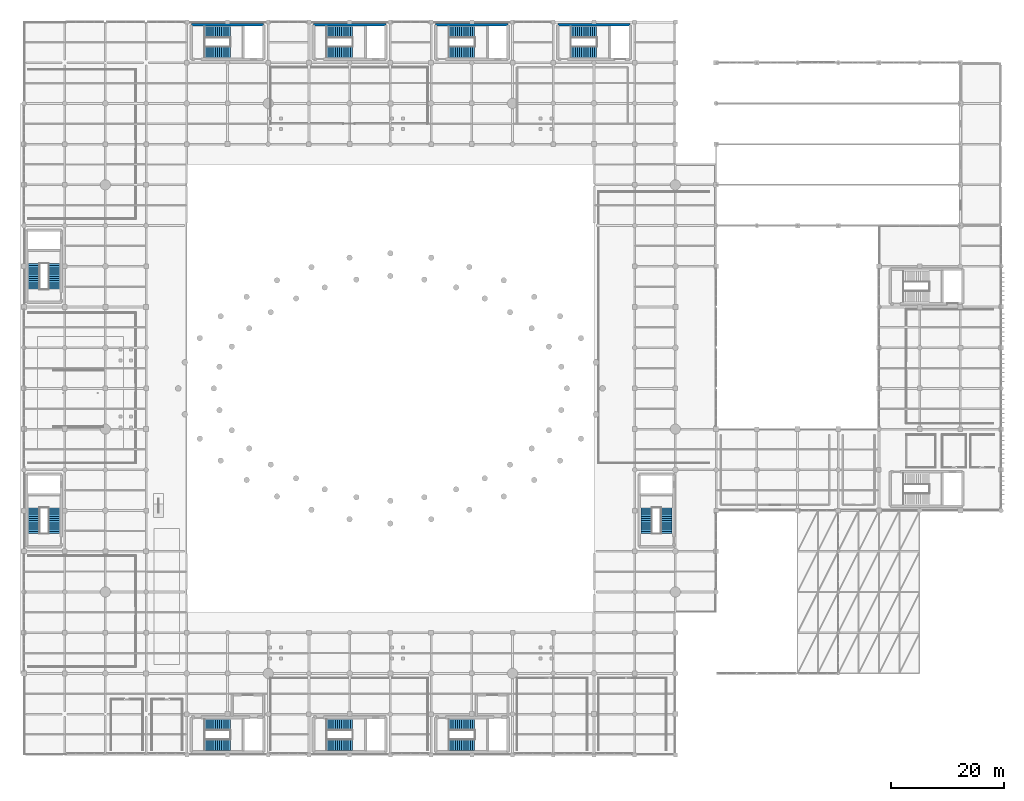
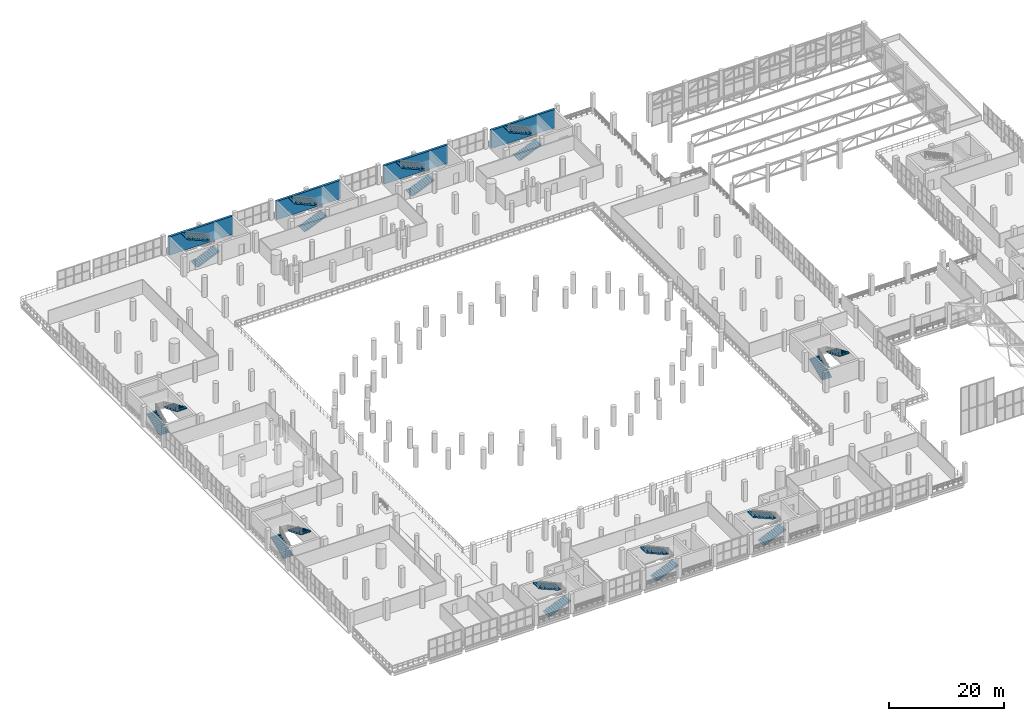
# One storey, part 139 of 153: 20 stair flights, 4 walls, 10 elements without a shape of their own.
"""IFC4 building model written with IfcOpenShell, lengths in metres."""

from ifc_helpers import new_model, si_unit, direction, frame, frame_2d, origin, place, context, subcontext, project, spatial, polyline, rectangle, outline, extrude, material, layer, layer_set, type_object, element, aggregate, save


model = new_model("IFC4")

# Units and contexts
model_context = context("Model", 3, precision=1e-05, world=origin(), true_north=direction((0.0, 1.0)))
body_context = subcontext(model_context, "Body", "Model", "MODEL_VIEW")
ifc_project = project(units=[si_unit("LENGTHUNIT", "METRE"), si_unit("AREAUNIT", "SQUARE_METRE"), si_unit("VOLUMEUNIT", "CUBIC_METRE"), si_unit("PLANEANGLEUNIT", "RADIAN"), si_unit("MASSUNIT", "GRAM", prefix="KILO")], contexts=[model_context])

# Site, building, storey
site_placement = place(None, origin())
site = spatial("IfcSite", under=ifc_project, at=site_placement, CompositionType="ELEMENT")
building_placement = place(site_placement, origin())
building = spatial("IfcBuilding", under=site, at=building_placement, Name="Qandorah Velis Arena", CompositionType="ELEMENT")
storey_placement = place(building_placement, frame((0.0, 0.0, 5.39990234375)))
storey = spatial("IfcBuildingStorey", under=building, at=storey_placement, Name="L01", CompositionType="ELEMENT", Elevation=5.39990234375)

# Walls
ifc_material = material(Name="Concrete C40/50", Category="concrete")
ifc_layer = layer(ifc_material, 0.449951171875)
ifc_layer_set = layer_set([ifc_layer], Name="Concrete C40/50")
wall_type = type_object("IfcWallType", Name="STR-WAL-CORE450", PredefinedType="SHEAR", material=ifc_layer_set)
wall_placement = place(storey_placement, frame((29.60009765625, 129.10009765625, 0.0), z_axis=(0.0, 0.0, 1.0), x_axis=(1.0, 0.0, 0.0)))
element("IfcWall", 1, at=wall_placement, inside=storey, type_object=wall_type, Name="Core CORE-03 shear wall N (L01)", PredefinedType="SHEAR", context=body_context, shape_type="SweptSolid", body=[
    extrude(rectangle(XDim=12.7998046875, YDim=0.449951171875, at=frame_2d((6.39990234375, 0.0))), origin(), (0.0, 0.0, 1.0), 3.920166015625),
])
for number, where, z_axis, x_axis, name in (
    (2, (72.800048828125, 129.10009765625, 0.0), (0.0, 0.0, 1.0), (1.0, 0.0, 0.0), "Core CORE-04 shear wall N (L01)"),
    (3, (51.199951171875, 129.10009765625, 0.0), (0.0, 0.0, 1.0), (1.0, 0.0, 0.0), "Core CORE-10 shear wall N (L01)"),
    (4, (94.39990234375, 129.10009765625, 0.0), (0.0, 0.0, 1.0), (1.0, 0.0, 0.0), "Core CORE-12 shear wall N (L01)"),
):
    element("IfcWall", number, at=place(storey_placement, frame(where, z_axis=z_axis, x_axis=x_axis)), inside=storey, type_object=wall_type, Name=name, PredefinedType="SHEAR", context=body_context, shape_type="SweptSolid", body=[
        extrude(rectangle(XDim=12.800048828125, YDim=0.449951171875, at=frame_2d((6.39990234375, 0.0))), origin(), (0.0, 0.0, 1.0), 3.920166015625),
    ])

# Stair, stair flights
stair_type = type_object("IfcStairType", Name="ARC-ST-CORE42", PredefinedType="HALF_TURN_STAIR", material=ifc_material)
stair_1_placement = place(storey_placement, origin())
stair_1 = element("IfcStair", 5, at=stair_1_placement, inside=storey, type_object=stair_type, Name="Protected exit stair ST1 (L01)", PredefinedType="HALF_TURN_STAIR")
stair_flight_type = type_object("IfcStairFlightType", Name="ARC-STF-1650", PredefinedType="STRAIGHT", material=ifc_material)
stair_flight_1_placement = place(storey_placement, frame((31.949951171875, 1.800048828125, 0.0), z_axis=(0.0, 0.0, 1.0), x_axis=(1.0, 0.0, 0.0)))
stair_flight_1 = element("IfcStairFlight", 6, at=stair_flight_1_placement, type_object=stair_flight_type, Name="ST1 flight 1", NumberOfRisers=13, NumberOfTreads=12, PredefinedType="STRAIGHT", RiserHeight=0.16154, TreadLength=0.378, context=body_context, shape_type="SweptSolid", body=[
    extrude(outline(polyline([(0.0, 0.0), (0.0, 0.16162109375), (0.3779296875, 0.16162109375), (0.3779296875, 0.322998046875), (0.756103515625, 0.322998046875), (0.756103515625, 0.484619140625), (1.134033203125, 0.484619140625), (1.134033203125, 0.646240234375), (1.511962890625, 0.646240234375), (1.511962890625, 0.8076171875), (1.889892578125, 0.8076171875), (1.889892578125, 0.96923828125), (2.26806640625, 0.96923828125), (2.26806640625, 1.130859375), (2.64599609375, 1.130859375), (2.64599609375, 1.292236328125), (3.02392578125, 1.292236328125), (3.02392578125, 1.453857421875), (3.402099609375, 1.453857421875), (3.402099609375, 1.615478515625), (3.780029296875, 1.615478515625), (3.780029296875, 1.77685546875), (4.157958984375, 1.77685546875), (4.157958984375, 1.9384765625), (4.535888671875, 1.9384765625), (4.535888671875, 2.10009765625), (4.535888671875, 1.69921875), (0.559814453125, 0.0), (0.0, 0.0)])), frame((0.0, 0.989990234375, 0.0), z_axis=(0.0, -1.0, 0.0), x_axis=(1.0, 0.0, 0.0)), (0.0, 0.0, 1.0), 1.97998046875),
])
stair_flight_2_placement = place(storey_placement, frame((36.486083984375, 5.300048828125, 2.10009765625), z_axis=(0.0, 0.0, 1.0), x_axis=(-1.0, 0.0, 0.0)))
stair_flight_2 = element("IfcStairFlight", 7, at=stair_flight_2_placement, type_object=stair_flight_type, Name="ST1 flight 2", NumberOfRisers=13, NumberOfTreads=12, PredefinedType="STRAIGHT", RiserHeight=0.16154, TreadLength=0.378, context=body_context, shape_type="SweptSolid", body=[
    extrude(outline(polyline([(0.0, 0.0), (0.0, 0.16162109375), (0.3779296875, 0.16162109375), (0.3779296875, 0.322998046875), (0.756103515625, 0.322998046875), (0.756103515625, 0.484619140625), (1.134033203125, 0.484619140625), (1.134033203125, 0.646240234375), (1.511962890625, 0.646240234375), (1.511962890625, 0.8076171875), (1.889892578125, 0.8076171875), (1.889892578125, 0.96923828125), (2.26806640625, 0.96923828125), (2.26806640625, 1.130859375), (2.64599609375, 1.130859375), (2.64599609375, 1.292236328125), (3.02392578125, 1.292236328125), (3.02392578125, 1.453857421875), (3.402099609375, 1.453857421875), (3.402099609375, 1.615478515625), (3.780029296875, 1.615478515625), (3.780029296875, 1.77685546875), (4.157958984375, 1.77685546875), (4.157958984375, 1.9384765625), (4.535888671875, 1.9384765625), (4.535888671875, 2.10009765625), (4.535888671875, 1.69921875), (0.559814453125, 0.0), (0.0, 0.0)])), frame((0.0, 0.989990234375, 0.0), z_axis=(0.0, -1.0, 0.0), x_axis=(1.0, 0.0, 0.0)), (0.0, 0.0, 1.0), 1.97998046875),
])
aggregate(stair_1, [stair_flight_1, stair_flight_2])

stair_2_placement = place(storey_placement, origin())
stair_2 = element("IfcStair", 8, at=stair_2_placement, inside=storey, type_object=stair_type, Name="Protected exit stair ST2 (L01)", PredefinedType="HALF_TURN_STAIR")
stair_flight_3_placement = place(storey_placement, frame((75.14990234375, 1.800048828125, 0.0), z_axis=(0.0, 0.0, 1.0), x_axis=(1.0, 0.0, 0.0)))
stair_flight_3 = element("IfcStairFlight", 9, at=stair_flight_3_placement, type_object=stair_flight_type, Name="ST2 flight 1", NumberOfRisers=13, NumberOfTreads=12, PredefinedType="STRAIGHT", RiserHeight=0.16154, TreadLength=0.378, context=body_context, shape_type="SweptSolid", body=[
    extrude(outline(polyline([(0.0, 0.0), (0.0, 0.16162109375), (0.3779296875, 0.16162109375), (0.3779296875, 0.322998046875), (0.756103515625, 0.322998046875), (0.756103515625, 0.484619140625), (1.134033203125, 0.484619140625), (1.134033203125, 0.646240234375), (1.511962890625, 0.646240234375), (1.511962890625, 0.8076171875), (1.889892578125, 0.8076171875), (1.889892578125, 0.96923828125), (2.26806640625, 0.96923828125), (2.26806640625, 1.130859375), (2.64599609375, 1.130859375), (2.64599609375, 1.292236328125), (3.02392578125, 1.292236328125), (3.02392578125, 1.453857421875), (3.402099609375, 1.453857421875), (3.402099609375, 1.615478515625), (3.780029296875, 1.615478515625), (3.780029296875, 1.77685546875), (4.157958984375, 1.77685546875), (4.157958984375, 1.9384765625), (4.535888671875, 1.9384765625), (4.535888671875, 2.10009765625), (4.535888671875, 1.69921875), (0.559814453125, 0.0), (0.0, 0.0)])), frame((0.0, 0.989990234375, 0.0), z_axis=(0.0, -1.0, 0.0), x_axis=(1.0, 0.0, 0.0)), (0.0, 0.0, 1.0), 1.97998046875),
])
stair_flight_4_placement = place(storey_placement, frame((79.68603515625, 5.300048828125, 2.10009765625), z_axis=(0.0, 0.0, 1.0), x_axis=(-1.0, 0.0, 0.0)))
stair_flight_4 = element("IfcStairFlight", 10, at=stair_flight_4_placement, type_object=stair_flight_type, Name="ST2 flight 2", NumberOfRisers=13, NumberOfTreads=12, PredefinedType="STRAIGHT", RiserHeight=0.16154, TreadLength=0.378, context=body_context, shape_type="SweptSolid", body=[
    extrude(outline(polyline([(0.0, 0.0), (0.0, 0.16162109375), (0.3779296875, 0.16162109375), (0.3779296875, 0.322998046875), (0.756103515625, 0.322998046875), (0.756103515625, 0.484619140625), (1.134033203125, 0.484619140625), (1.134033203125, 0.646240234375), (1.511962890625, 0.646240234375), (1.511962890625, 0.8076171875), (1.889892578125, 0.8076171875), (1.889892578125, 0.96923828125), (2.26806640625, 0.96923828125), (2.26806640625, 1.130859375), (2.64599609375, 1.130859375), (2.64599609375, 1.292236328125), (3.02392578125, 1.292236328125), (3.02392578125, 1.453857421875), (3.402099609375, 1.453857421875), (3.402099609375, 1.615478515625), (3.780029296875, 1.615478515625), (3.780029296875, 1.77685546875), (4.157958984375, 1.77685546875), (4.157958984375, 1.9384765625), (4.535888671875, 1.9384765625), (4.535888671875, 2.10009765625), (4.535888671875, 1.69921875), (0.559814453125, 0.0), (0.0, 0.0)])), frame((0.0, 0.989990234375, 0.0), z_axis=(0.0, -1.0, 0.0), x_axis=(1.0, 0.0, 0.0)), (0.0, 0.0, 1.0), 1.97998046875),
])
aggregate(stair_2, [stair_flight_3, stair_flight_4])

stair_3_placement = place(storey_placement, origin())
stair_3 = element("IfcStair", 11, at=stair_3_placement, inside=storey, type_object=stair_type, Name="Protected exit stair ST3 (L01)", PredefinedType="HALF_TURN_STAIR")
stair_flight_5_placement = place(storey_placement, frame((31.949951171875, 124.300048828125, 0.0), z_axis=(0.0, 0.0, 1.0), x_axis=(1.0, 0.0, 0.0)))
stair_flight_5 = element("IfcStairFlight", 12, at=stair_flight_5_placement, type_object=stair_flight_type, Name="ST3 flight 1", NumberOfRisers=13, NumberOfTreads=12, PredefinedType="STRAIGHT", RiserHeight=0.16154, TreadLength=0.378, context=body_context, shape_type="SweptSolid", body=[
    extrude(outline(polyline([(0.0, 0.0), (0.0, 0.16162109375), (0.3779296875, 0.16162109375), (0.3779296875, 0.322998046875), (0.756103515625, 0.322998046875), (0.756103515625, 0.484619140625), (1.134033203125, 0.484619140625), (1.134033203125, 0.646240234375), (1.511962890625, 0.646240234375), (1.511962890625, 0.8076171875), (1.889892578125, 0.8076171875), (1.889892578125, 0.96923828125), (2.26806640625, 0.96923828125), (2.26806640625, 1.130859375), (2.64599609375, 1.130859375), (2.64599609375, 1.292236328125), (3.02392578125, 1.292236328125), (3.02392578125, 1.453857421875), (3.402099609375, 1.453857421875), (3.402099609375, 1.615478515625), (3.780029296875, 1.615478515625), (3.780029296875, 1.77685546875), (4.157958984375, 1.77685546875), (4.157958984375, 1.9384765625), (4.535888671875, 1.9384765625), (4.535888671875, 2.10009765625), (4.535888671875, 1.69921875), (0.559814453125, 0.0), (0.0, 0.0)])), frame((0.0, 0.989990234375, 0.0), z_axis=(0.0, -1.0, 0.0), x_axis=(1.0, 0.0, 0.0)), (0.0, 0.0, 1.0), 1.97998046875),
])
stair_flight_6_placement = place(storey_placement, frame((36.486083984375, 127.800048828125, 2.10009765625), z_axis=(0.0, 0.0, 1.0), x_axis=(-1.0, 0.0, 0.0)))
stair_flight_6 = element("IfcStairFlight", 13, at=stair_flight_6_placement, type_object=stair_flight_type, Name="ST3 flight 2", NumberOfRisers=13, NumberOfTreads=12, PredefinedType="STRAIGHT", RiserHeight=0.16154, TreadLength=0.378, context=body_context, shape_type="SweptSolid", body=[
    extrude(outline(polyline([(0.0, 0.0), (0.0, 0.16162109375), (0.3779296875, 0.16162109375), (0.3779296875, 0.322998046875), (0.756103515625, 0.322998046875), (0.756103515625, 0.484619140625), (1.134033203125, 0.484619140625), (1.134033203125, 0.646240234375), (1.511962890625, 0.646240234375), (1.511962890625, 0.8076171875), (1.889892578125, 0.8076171875), (1.889892578125, 0.96923828125), (2.26806640625, 0.96923828125), (2.26806640625, 1.130859375), (2.64599609375, 1.130859375), (2.64599609375, 1.292236328125), (3.02392578125, 1.292236328125), (3.02392578125, 1.453857421875), (3.402099609375, 1.453857421875), (3.402099609375, 1.615478515625), (3.780029296875, 1.615478515625), (3.780029296875, 1.77685546875), (4.157958984375, 1.77685546875), (4.157958984375, 1.9384765625), (4.535888671875, 1.9384765625), (4.535888671875, 2.10009765625), (4.535888671875, 1.69921875), (0.559814453125, 0.0), (0.0, 0.0)])), frame((0.0, 0.989990234375, 0.0), z_axis=(0.0, -1.0, 0.0), x_axis=(1.0, 0.0, 0.0)), (0.0, 0.0, 1.0), 1.97998046875),
])
aggregate(stair_3, [stair_flight_5, stair_flight_6])

stair_4_placement = place(storey_placement, origin())
stair_4 = element("IfcStair", 14, at=stair_4_placement, inside=storey, type_object=stair_type, Name="Protected exit stair ST4 (L01)", PredefinedType="HALF_TURN_STAIR")
stair_flight_7_placement = place(storey_placement, frame((75.14990234375, 124.300048828125, 0.0), z_axis=(0.0, 0.0, 1.0), x_axis=(1.0, 0.0, 0.0)))
stair_flight_7 = element("IfcStairFlight", 15, at=stair_flight_7_placement, type_object=stair_flight_type, Name="ST4 flight 1", NumberOfRisers=13, NumberOfTreads=12, PredefinedType="STRAIGHT", RiserHeight=0.16154, TreadLength=0.378, context=body_context, shape_type="SweptSolid", body=[
    extrude(outline(polyline([(0.0, 0.0), (0.0, 0.16162109375), (0.3779296875, 0.16162109375), (0.3779296875, 0.322998046875), (0.756103515625, 0.322998046875), (0.756103515625, 0.484619140625), (1.134033203125, 0.484619140625), (1.134033203125, 0.646240234375), (1.511962890625, 0.646240234375), (1.511962890625, 0.8076171875), (1.889892578125, 0.8076171875), (1.889892578125, 0.96923828125), (2.26806640625, 0.96923828125), (2.26806640625, 1.130859375), (2.64599609375, 1.130859375), (2.64599609375, 1.292236328125), (3.02392578125, 1.292236328125), (3.02392578125, 1.453857421875), (3.402099609375, 1.453857421875), (3.402099609375, 1.615478515625), (3.780029296875, 1.615478515625), (3.780029296875, 1.77685546875), (4.157958984375, 1.77685546875), (4.157958984375, 1.9384765625), (4.535888671875, 1.9384765625), (4.535888671875, 2.10009765625), (4.535888671875, 1.69921875), (0.559814453125, 0.0), (0.0, 0.0)])), frame((0.0, 0.989990234375, 0.0), z_axis=(0.0, -1.0, 0.0), x_axis=(1.0, 0.0, 0.0)), (0.0, 0.0, 1.0), 1.97998046875),
])
stair_flight_8_placement = place(storey_placement, frame((79.68603515625, 127.800048828125, 2.10009765625), z_axis=(0.0, 0.0, 1.0), x_axis=(-1.0, 0.0, 0.0)))
stair_flight_8 = element("IfcStairFlight", 16, at=stair_flight_8_placement, type_object=stair_flight_type, Name="ST4 flight 2", NumberOfRisers=13, NumberOfTreads=12, PredefinedType="STRAIGHT", RiserHeight=0.16154, TreadLength=0.378, context=body_context, shape_type="SweptSolid", body=[
    extrude(outline(polyline([(0.0, 0.0), (0.0, 0.16162109375), (0.3779296875, 0.16162109375), (0.3779296875, 0.322998046875), (0.756103515625, 0.322998046875), (0.756103515625, 0.484619140625), (1.134033203125, 0.484619140625), (1.134033203125, 0.646240234375), (1.511962890625, 0.646240234375), (1.511962890625, 0.8076171875), (1.889892578125, 0.8076171875), (1.889892578125, 0.96923828125), (2.26806640625, 0.96923828125), (2.26806640625, 1.130859375), (2.64599609375, 1.130859375), (2.64599609375, 1.292236328125), (3.02392578125, 1.292236328125), (3.02392578125, 1.453857421875), (3.402099609375, 1.453857421875), (3.402099609375, 1.615478515625), (3.780029296875, 1.615478515625), (3.780029296875, 1.77685546875), (4.157958984375, 1.77685546875), (4.157958984375, 1.9384765625), (4.535888671875, 1.9384765625), (4.535888671875, 2.10009765625), (4.535888671875, 1.69921875), (0.559814453125, 0.0), (0.0, 0.0)])), frame((0.0, 0.989990234375, 0.0), z_axis=(0.0, -1.0, 0.0), x_axis=(1.0, 0.0, 0.0)), (0.0, 0.0, 1.0), 1.97998046875),
])
aggregate(stair_4, [stair_flight_7, stair_flight_8])

stair_5_placement = place(storey_placement, origin())
stair_5 = element("IfcStair", 17, at=stair_5_placement, inside=storey, type_object=stair_type, Name="Protected exit stair ST5 (L01)", PredefinedType="HALF_TURN_STAIR")
stair_flight_9_placement = place(storey_placement, frame((1.800048828125, 39.14990234375, 0.0), z_axis=(0.0, 0.0, 1.0), x_axis=(0.0, 1.0, 0.0)))
stair_flight_9 = element("IfcStairFlight", 18, at=stair_flight_9_placement, type_object=stair_flight_type, Name="ST5 flight 1", NumberOfRisers=13, NumberOfTreads=12, PredefinedType="STRAIGHT", RiserHeight=0.16154, TreadLength=0.378, context=body_context, shape_type="SweptSolid", body=[
    extrude(outline(polyline([(0.0, 0.0), (0.0, 0.16162109375), (0.3779296875, 0.16162109375), (0.3779296875, 0.322998046875), (0.756103515625, 0.322998046875), (0.756103515625, 0.484619140625), (1.134033203125, 0.484619140625), (1.134033203125, 0.646240234375), (1.511962890625, 0.646240234375), (1.511962890625, 0.8076171875), (1.889892578125, 0.8076171875), (1.889892578125, 0.96923828125), (2.26806640625, 0.96923828125), (2.26806640625, 1.130859375), (2.64599609375, 1.130859375), (2.64599609375, 1.292236328125), (3.02392578125, 1.292236328125), (3.02392578125, 1.453857421875), (3.402099609375, 1.453857421875), (3.402099609375, 1.615478515625), (3.780029296875, 1.615478515625), (3.780029296875, 1.77685546875), (4.157958984375, 1.77685546875), (4.157958984375, 1.9384765625), (4.535888671875, 1.9384765625), (4.535888671875, 2.10009765625), (4.535888671875, 1.69921875), (0.559814453125, 0.0), (0.0, 0.0)])), frame((0.0, 0.989990234375, 0.0), z_axis=(0.0, -1.0, 0.0), x_axis=(1.0, 0.0, 0.0)), (0.0, 0.0, 1.0), 1.97998046875),
])
stair_flight_10_placement = place(storey_placement, frame((5.300048828125, 43.68603515625, 2.10009765625), z_axis=(0.0, 0.0, 1.0), x_axis=(0.0, -1.0, 0.0)))
stair_flight_10 = element("IfcStairFlight", 19, at=stair_flight_10_placement, type_object=stair_flight_type, Name="ST5 flight 2", NumberOfRisers=13, NumberOfTreads=12, PredefinedType="STRAIGHT", RiserHeight=0.16154, TreadLength=0.378, context=body_context, shape_type="SweptSolid", body=[
    extrude(outline(polyline([(0.0, 0.0), (0.0, 0.16162109375), (0.3779296875, 0.16162109375), (0.3779296875, 0.322998046875), (0.756103515625, 0.322998046875), (0.756103515625, 0.484619140625), (1.134033203125, 0.484619140625), (1.134033203125, 0.646240234375), (1.511962890625, 0.646240234375), (1.511962890625, 0.8076171875), (1.889892578125, 0.8076171875), (1.889892578125, 0.96923828125), (2.26806640625, 0.96923828125), (2.26806640625, 1.130859375), (2.64599609375, 1.130859375), (2.64599609375, 1.292236328125), (3.02392578125, 1.292236328125), (3.02392578125, 1.453857421875), (3.402099609375, 1.453857421875), (3.402099609375, 1.615478515625), (3.780029296875, 1.615478515625), (3.780029296875, 1.77685546875), (4.157958984375, 1.77685546875), (4.157958984375, 1.9384765625), (4.535888671875, 1.9384765625), (4.535888671875, 2.10009765625), (4.535888671875, 1.69921875), (0.559814453125, 0.0), (0.0, 0.0)])), frame((0.0, 0.989990234375, 0.0), z_axis=(0.0, -1.0, 0.0), x_axis=(1.0, 0.0, 0.0)), (0.0, 0.0, 1.0), 1.97998046875),
])
aggregate(stair_5, [stair_flight_9, stair_flight_10])

stair_6_placement = place(storey_placement, origin())
stair_6 = element("IfcStair", 20, at=stair_6_placement, inside=storey, type_object=stair_type, Name="Protected exit stair ST6 (L01)", PredefinedType="HALF_TURN_STAIR")
stair_flight_11_placement = place(storey_placement, frame((1.800048828125, 82.35009765625, 0.0), z_axis=(0.0, 0.0, 1.0), x_axis=(0.0, 1.0, 0.0)))
stair_flight_11 = element("IfcStairFlight", 21, at=stair_flight_11_placement, type_object=stair_flight_type, Name="ST6 flight 1", NumberOfRisers=13, NumberOfTreads=12, PredefinedType="STRAIGHT", RiserHeight=0.16154, TreadLength=0.378, context=body_context, shape_type="SweptSolid", body=[
    extrude(outline(polyline([(0.0, 0.0), (0.0, 0.16162109375), (0.3779296875, 0.16162109375), (0.3779296875, 0.322998046875), (0.756103515625, 0.322998046875), (0.756103515625, 0.484619140625), (1.134033203125, 0.484619140625), (1.134033203125, 0.646240234375), (1.511962890625, 0.646240234375), (1.511962890625, 0.8076171875), (1.889892578125, 0.8076171875), (1.889892578125, 0.96923828125), (2.26806640625, 0.96923828125), (2.26806640625, 1.130859375), (2.64599609375, 1.130859375), (2.64599609375, 1.292236328125), (3.02392578125, 1.292236328125), (3.02392578125, 1.453857421875), (3.402099609375, 1.453857421875), (3.402099609375, 1.615478515625), (3.780029296875, 1.615478515625), (3.780029296875, 1.77685546875), (4.157958984375, 1.77685546875), (4.157958984375, 1.9384765625), (4.535888671875, 1.9384765625), (4.535888671875, 2.10009765625), (4.535888671875, 1.69921875), (0.559814453125, 0.0), (0.0, 0.0)])), frame((0.0, 0.989990234375, 0.0), z_axis=(0.0, -1.0, 0.0), x_axis=(1.0, 0.0, 0.0)), (0.0, 0.0, 1.0), 1.97998046875),
])
stair_flight_12_placement = place(storey_placement, frame((5.300048828125, 86.885986328125, 2.10009765625), z_axis=(0.0, 0.0, 1.0), x_axis=(0.0, -1.0, 0.0)))
stair_flight_12 = element("IfcStairFlight", 22, at=stair_flight_12_placement, type_object=stair_flight_type, Name="ST6 flight 2", NumberOfRisers=13, NumberOfTreads=12, PredefinedType="STRAIGHT", RiserHeight=0.16154, TreadLength=0.378, context=body_context, shape_type="SweptSolid", body=[
    extrude(outline(polyline([(0.0, 0.0), (0.0, 0.16162109375), (0.3779296875, 0.16162109375), (0.3779296875, 0.322998046875), (0.756103515625, 0.322998046875), (0.756103515625, 0.484619140625), (1.134033203125, 0.484619140625), (1.134033203125, 0.646240234375), (1.511962890625, 0.646240234375), (1.511962890625, 0.8076171875), (1.889892578125, 0.8076171875), (1.889892578125, 0.96923828125), (2.26806640625, 0.96923828125), (2.26806640625, 1.130859375), (2.64599609375, 1.130859375), (2.64599609375, 1.292236328125), (3.02392578125, 1.292236328125), (3.02392578125, 1.453857421875), (3.402099609375, 1.453857421875), (3.402099609375, 1.615478515625), (3.780029296875, 1.615478515625), (3.780029296875, 1.77685546875), (4.157958984375, 1.77685546875), (4.157958984375, 1.9384765625), (4.535888671875, 1.9384765625), (4.535888671875, 2.10009765625), (4.535888671875, 1.69921875), (0.559814453125, 0.0), (0.0, 0.0)])), frame((0.0, 0.989990234375, 0.0), z_axis=(0.0, -1.0, 0.0), x_axis=(1.0, 0.0, 0.0)), (0.0, 0.0, 1.0), 1.97998046875),
])
aggregate(stair_6, [stair_flight_11, stair_flight_12])

stair_7_placement = place(storey_placement, origin())
stair_7 = element("IfcStair", 23, at=stair_7_placement, inside=storey, type_object=stair_type, Name="Protected exit stair ST9 (L01)", PredefinedType="HALF_TURN_STAIR")
stair_flight_13_placement = place(storey_placement, frame((53.550048828125, 1.800048828125, 0.0), z_axis=(0.0, 0.0, 1.0), x_axis=(1.0, 0.0, 0.0)))
stair_flight_13 = element("IfcStairFlight", 24, at=stair_flight_13_placement, type_object=stair_flight_type, Name="ST9 flight 1", NumberOfRisers=13, NumberOfTreads=12, PredefinedType="STRAIGHT", RiserHeight=0.16154, TreadLength=0.378, context=body_context, shape_type="SweptSolid", body=[
    extrude(outline(polyline([(0.0, 0.0), (0.0, 0.16162109375), (0.3779296875, 0.16162109375), (0.3779296875, 0.322998046875), (0.756103515625, 0.322998046875), (0.756103515625, 0.484619140625), (1.134033203125, 0.484619140625), (1.134033203125, 0.646240234375), (1.511962890625, 0.646240234375), (1.511962890625, 0.8076171875), (1.889892578125, 0.8076171875), (1.889892578125, 0.96923828125), (2.26806640625, 0.96923828125), (2.26806640625, 1.130859375), (2.64599609375, 1.130859375), (2.64599609375, 1.292236328125), (3.02392578125, 1.292236328125), (3.02392578125, 1.453857421875), (3.402099609375, 1.453857421875), (3.402099609375, 1.615478515625), (3.780029296875, 1.615478515625), (3.780029296875, 1.77685546875), (4.157958984375, 1.77685546875), (4.157958984375, 1.9384765625), (4.535888671875, 1.9384765625), (4.535888671875, 2.10009765625), (4.535888671875, 1.69921875), (0.559814453125, 0.0), (0.0, 0.0)])), frame((0.0, 0.989990234375, 0.0), z_axis=(0.0, -1.0, 0.0), x_axis=(1.0, 0.0, 0.0)), (0.0, 0.0, 1.0), 1.97998046875),
])
stair_flight_14_placement = place(storey_placement, frame((58.0859375, 5.300048828125, 2.10009765625), z_axis=(0.0, 0.0, 1.0), x_axis=(-1.0, 0.0, 0.0)))
stair_flight_14 = element("IfcStairFlight", 25, at=stair_flight_14_placement, type_object=stair_flight_type, Name="ST9 flight 2", NumberOfRisers=13, NumberOfTreads=12, PredefinedType="STRAIGHT", RiserHeight=0.16154, TreadLength=0.378, context=body_context, shape_type="SweptSolid", body=[
    extrude(outline(polyline([(0.0, 0.0), (0.0, 0.16162109375), (0.3779296875, 0.16162109375), (0.3779296875, 0.322998046875), (0.756103515625, 0.322998046875), (0.756103515625, 0.484619140625), (1.134033203125, 0.484619140625), (1.134033203125, 0.646240234375), (1.511962890625, 0.646240234375), (1.511962890625, 0.8076171875), (1.889892578125, 0.8076171875), (1.889892578125, 0.96923828125), (2.26806640625, 0.96923828125), (2.26806640625, 1.130859375), (2.64599609375, 1.130859375), (2.64599609375, 1.292236328125), (3.02392578125, 1.292236328125), (3.02392578125, 1.453857421875), (3.402099609375, 1.453857421875), (3.402099609375, 1.615478515625), (3.780029296875, 1.615478515625), (3.780029296875, 1.77685546875), (4.157958984375, 1.77685546875), (4.157958984375, 1.9384765625), (4.535888671875, 1.9384765625), (4.535888671875, 2.10009765625), (4.535888671875, 1.69921875), (0.559814453125, 0.0), (0.0, 0.0)])), frame((0.0, 0.989990234375, 0.0), z_axis=(0.0, -1.0, 0.0), x_axis=(1.0, 0.0, 0.0)), (0.0, 0.0, 1.0), 1.97998046875),
])
aggregate(stair_7, [stair_flight_13, stair_flight_14])

stair_8_placement = place(storey_placement, origin())
stair_8 = element("IfcStair", 26, at=stair_8_placement, inside=storey, type_object=stair_type, Name="Protected exit stair ST10 (L01)", PredefinedType="HALF_TURN_STAIR")
stair_flight_15_placement = place(storey_placement, frame((53.550048828125, 124.300048828125, 0.0), z_axis=(0.0, 0.0, 1.0), x_axis=(1.0, 0.0, 0.0)))
stair_flight_15 = element("IfcStairFlight", 27, at=stair_flight_15_placement, type_object=stair_flight_type, Name="ST10 flight 1", NumberOfRisers=13, NumberOfTreads=12, PredefinedType="STRAIGHT", RiserHeight=0.16154, TreadLength=0.378, context=body_context, shape_type="SweptSolid", body=[
    extrude(outline(polyline([(0.0, 0.0), (0.0, 0.16162109375), (0.3779296875, 0.16162109375), (0.3779296875, 0.322998046875), (0.756103515625, 0.322998046875), (0.756103515625, 0.484619140625), (1.134033203125, 0.484619140625), (1.134033203125, 0.646240234375), (1.511962890625, 0.646240234375), (1.511962890625, 0.8076171875), (1.889892578125, 0.8076171875), (1.889892578125, 0.96923828125), (2.26806640625, 0.96923828125), (2.26806640625, 1.130859375), (2.64599609375, 1.130859375), (2.64599609375, 1.292236328125), (3.02392578125, 1.292236328125), (3.02392578125, 1.453857421875), (3.402099609375, 1.453857421875), (3.402099609375, 1.615478515625), (3.780029296875, 1.615478515625), (3.780029296875, 1.77685546875), (4.157958984375, 1.77685546875), (4.157958984375, 1.9384765625), (4.535888671875, 1.9384765625), (4.535888671875, 2.10009765625), (4.535888671875, 1.69921875), (0.559814453125, 0.0), (0.0, 0.0)])), frame((0.0, 0.989990234375, 0.0), z_axis=(0.0, -1.0, 0.0), x_axis=(1.0, 0.0, 0.0)), (0.0, 0.0, 1.0), 1.97998046875),
])
stair_flight_16_placement = place(storey_placement, frame((58.0859375, 127.800048828125, 2.10009765625), z_axis=(0.0, 0.0, 1.0), x_axis=(-1.0, 0.0, 0.0)))
stair_flight_16 = element("IfcStairFlight", 28, at=stair_flight_16_placement, type_object=stair_flight_type, Name="ST10 flight 2", NumberOfRisers=13, NumberOfTreads=12, PredefinedType="STRAIGHT", RiserHeight=0.16154, TreadLength=0.378, context=body_context, shape_type="SweptSolid", body=[
    extrude(outline(polyline([(0.0, 0.0), (0.0, 0.16162109375), (0.3779296875, 0.16162109375), (0.3779296875, 0.322998046875), (0.756103515625, 0.322998046875), (0.756103515625, 0.484619140625), (1.134033203125, 0.484619140625), (1.134033203125, 0.646240234375), (1.511962890625, 0.646240234375), (1.511962890625, 0.8076171875), (1.889892578125, 0.8076171875), (1.889892578125, 0.96923828125), (2.26806640625, 0.96923828125), (2.26806640625, 1.130859375), (2.64599609375, 1.130859375), (2.64599609375, 1.292236328125), (3.02392578125, 1.292236328125), (3.02392578125, 1.453857421875), (3.402099609375, 1.453857421875), (3.402099609375, 1.615478515625), (3.780029296875, 1.615478515625), (3.780029296875, 1.77685546875), (4.157958984375, 1.77685546875), (4.157958984375, 1.9384765625), (4.535888671875, 1.9384765625), (4.535888671875, 2.10009765625), (4.535888671875, 1.69921875), (0.559814453125, 0.0), (0.0, 0.0)])), frame((0.0, 0.989990234375, 0.0), z_axis=(0.0, -1.0, 0.0), x_axis=(1.0, 0.0, 0.0)), (0.0, 0.0, 1.0), 1.97998046875),
])
aggregate(stair_8, [stair_flight_15, stair_flight_16])

stair_9_placement = place(storey_placement, origin())
stair_9 = element("IfcStair", 29, at=stair_9_placement, inside=storey, type_object=stair_type, Name="Protected exit stair ST11 (L01)", PredefinedType="HALF_TURN_STAIR")
stair_flight_17_placement = place(storey_placement, frame((110.10009765625, 39.14990234375, 0.0), z_axis=(0.0, 0.0, 1.0), x_axis=(0.0, 1.0, 0.0)))
stair_flight_17 = element("IfcStairFlight", 30, at=stair_flight_17_placement, type_object=stair_flight_type, Name="ST11 flight 1", NumberOfRisers=13, NumberOfTreads=12, PredefinedType="STRAIGHT", RiserHeight=0.16154, TreadLength=0.378, context=body_context, shape_type="SweptSolid", body=[
    extrude(outline(polyline([(0.0, 0.0), (0.0, 0.16162109375), (0.3779296875, 0.16162109375), (0.3779296875, 0.322998046875), (0.756103515625, 0.322998046875), (0.756103515625, 0.484619140625), (1.134033203125, 0.484619140625), (1.134033203125, 0.646240234375), (1.511962890625, 0.646240234375), (1.511962890625, 0.8076171875), (1.889892578125, 0.8076171875), (1.889892578125, 0.96923828125), (2.26806640625, 0.96923828125), (2.26806640625, 1.130859375), (2.64599609375, 1.130859375), (2.64599609375, 1.292236328125), (3.02392578125, 1.292236328125), (3.02392578125, 1.453857421875), (3.402099609375, 1.453857421875), (3.402099609375, 1.615478515625), (3.780029296875, 1.615478515625), (3.780029296875, 1.77685546875), (4.157958984375, 1.77685546875), (4.157958984375, 1.9384765625), (4.535888671875, 1.9384765625), (4.535888671875, 2.10009765625), (4.535888671875, 1.69921875), (0.559814453125, 0.0), (0.0, 0.0)])), frame((0.0, 0.989990234375, 0.0), z_axis=(0.0, -1.0, 0.0), x_axis=(1.0, 0.0, 0.0)), (0.0, 0.0, 1.0), 1.97998046875),
])
stair_flight_18_placement = place(storey_placement, frame((113.60009765625, 43.68603515625, 2.10009765625), z_axis=(0.0, 0.0, 1.0), x_axis=(0.0, -1.0, 0.0)))
stair_flight_18 = element("IfcStairFlight", 31, at=stair_flight_18_placement, type_object=stair_flight_type, Name="ST11 flight 2", NumberOfRisers=13, NumberOfTreads=12, PredefinedType="STRAIGHT", RiserHeight=0.16154, TreadLength=0.378, context=body_context, shape_type="SweptSolid", body=[
    extrude(outline(polyline([(0.0, 0.0), (0.0, 0.16162109375), (0.3779296875, 0.16162109375), (0.3779296875, 0.322998046875), (0.756103515625, 0.322998046875), (0.756103515625, 0.484619140625), (1.134033203125, 0.484619140625), (1.134033203125, 0.646240234375), (1.511962890625, 0.646240234375), (1.511962890625, 0.8076171875), (1.889892578125, 0.8076171875), (1.889892578125, 0.96923828125), (2.26806640625, 0.96923828125), (2.26806640625, 1.130859375), (2.64599609375, 1.130859375), (2.64599609375, 1.292236328125), (3.02392578125, 1.292236328125), (3.02392578125, 1.453857421875), (3.402099609375, 1.453857421875), (3.402099609375, 1.615478515625), (3.780029296875, 1.615478515625), (3.780029296875, 1.77685546875), (4.157958984375, 1.77685546875), (4.157958984375, 1.9384765625), (4.535888671875, 1.9384765625), (4.535888671875, 2.10009765625), (4.535888671875, 1.69921875), (0.559814453125, 0.0), (0.0, 0.0)])), frame((0.0, 0.989990234375, 0.0), z_axis=(0.0, -1.0, 0.0), x_axis=(1.0, 0.0, 0.0)), (0.0, 0.0, 1.0), 1.97998046875),
])
aggregate(stair_9, [stair_flight_17, stair_flight_18])

stair_10_placement = place(storey_placement, origin())
stair_10 = element("IfcStair", 32, at=stair_10_placement, inside=storey, type_object=stair_type, Name="Protected exit stair ST12 (L01)", PredefinedType="HALF_TURN_STAIR")
stair_flight_19_placement = place(storey_placement, frame((96.75, 124.300048828125, 0.0), z_axis=(0.0, 0.0, 1.0), x_axis=(1.0, 0.0, 0.0)))
stair_flight_19 = element("IfcStairFlight", 33, at=stair_flight_19_placement, type_object=stair_flight_type, Name="ST12 flight 1", NumberOfRisers=13, NumberOfTreads=12, PredefinedType="STRAIGHT", RiserHeight=0.16154, TreadLength=0.378, context=body_context, shape_type="SweptSolid", body=[
    extrude(outline(polyline([(0.0, 0.0), (0.0, 0.16162109375), (0.3779296875, 0.16162109375), (0.3779296875, 0.322998046875), (0.756103515625, 0.322998046875), (0.756103515625, 0.484619140625), (1.134033203125, 0.484619140625), (1.134033203125, 0.646240234375), (1.511962890625, 0.646240234375), (1.511962890625, 0.8076171875), (1.889892578125, 0.8076171875), (1.889892578125, 0.96923828125), (2.26806640625, 0.96923828125), (2.26806640625, 1.130859375), (2.64599609375, 1.130859375), (2.64599609375, 1.292236328125), (3.02392578125, 1.292236328125), (3.02392578125, 1.453857421875), (3.402099609375, 1.453857421875), (3.402099609375, 1.615478515625), (3.780029296875, 1.615478515625), (3.780029296875, 1.77685546875), (4.157958984375, 1.77685546875), (4.157958984375, 1.9384765625), (4.535888671875, 1.9384765625), (4.535888671875, 2.10009765625), (4.535888671875, 1.69921875), (0.559814453125, 0.0), (0.0, 0.0)])), frame((0.0, 0.989990234375, 0.0), z_axis=(0.0, -1.0, 0.0), x_axis=(1.0, 0.0, 0.0)), (0.0, 0.0, 1.0), 1.97998046875),
])
stair_flight_20_placement = place(storey_placement, frame((101.285888671875, 127.800048828125, 2.10009765625), z_axis=(0.0, 0.0, 1.0), x_axis=(-1.0, 0.0, 0.0)))
stair_flight_20 = element("IfcStairFlight", 34, at=stair_flight_20_placement, type_object=stair_flight_type, Name="ST12 flight 2", NumberOfRisers=13, NumberOfTreads=12, PredefinedType="STRAIGHT", RiserHeight=0.16154, TreadLength=0.378, context=body_context, shape_type="SweptSolid", body=[
    extrude(outline(polyline([(0.0, 0.0), (0.0, 0.16162109375), (0.3779296875, 0.16162109375), (0.3779296875, 0.322998046875), (0.756103515625, 0.322998046875), (0.756103515625, 0.484619140625), (1.134033203125, 0.484619140625), (1.134033203125, 0.646240234375), (1.511962890625, 0.646240234375), (1.511962890625, 0.8076171875), (1.889892578125, 0.8076171875), (1.889892578125, 0.96923828125), (2.26806640625, 0.96923828125), (2.26806640625, 1.130859375), (2.64599609375, 1.130859375), (2.64599609375, 1.292236328125), (3.02392578125, 1.292236328125), (3.02392578125, 1.453857421875), (3.402099609375, 1.453857421875), (3.402099609375, 1.615478515625), (3.780029296875, 1.615478515625), (3.780029296875, 1.77685546875), (4.157958984375, 1.77685546875), (4.157958984375, 1.9384765625), (4.535888671875, 1.9384765625), (4.535888671875, 2.10009765625), (4.535888671875, 1.69921875), (0.559814453125, 0.0), (0.0, 0.0)])), frame((0.0, 0.989990234375, 0.0), z_axis=(0.0, -1.0, 0.0), x_axis=(1.0, 0.0, 0.0)), (0.0, 0.0, 1.0), 1.97998046875),
])
aggregate(stair_10, [stair_flight_19, stair_flight_20])

save(model, "model.ifc")
